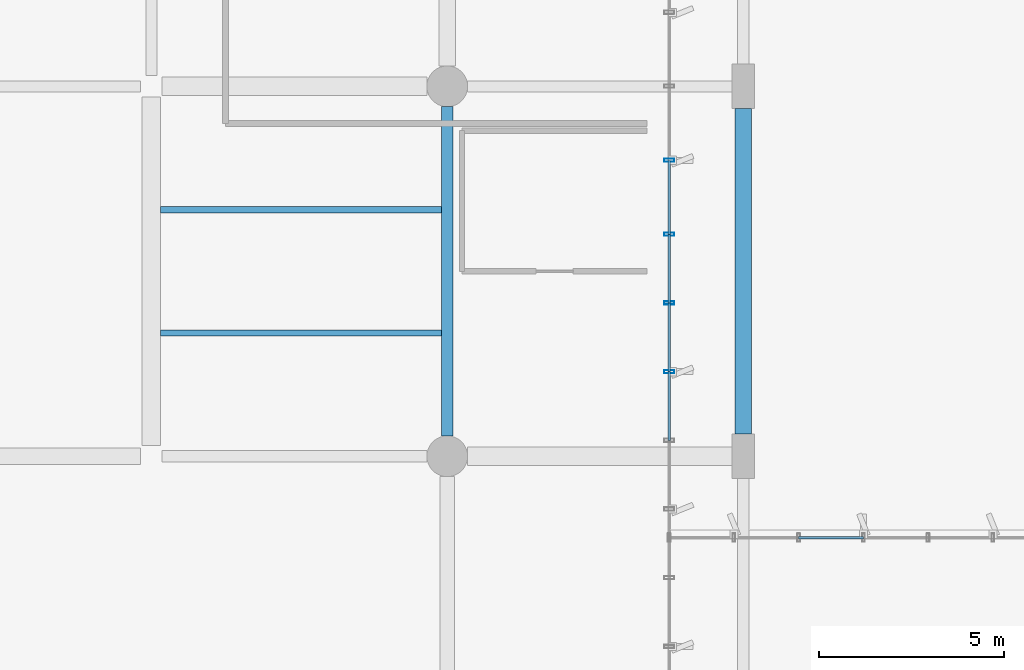
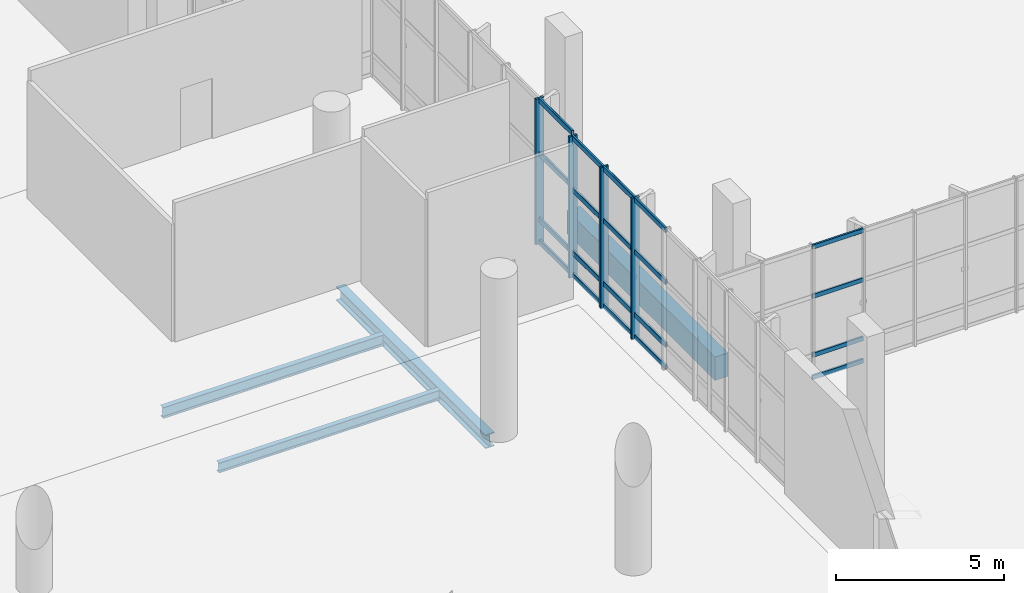
# One storey, part 93 of 163: 24 members, 4 beams, 3 elements without a shape of their own.
"""IFC4 building model written with IfcOpenShell, lengths in metres."""

from ifc_helpers import new_model, si_unit, direction, frame, origin, origin_2d, place, context, subcontext, project, spatial, rectangle, hollow_rectangle, i_section, extrude, material, layer, layer_set, material_profile, profile_set, type_object, element, aggregate, save


model = new_model("IFC4")

# Units and contexts
model_context = context("Model", 3, precision=1e-05, world=origin(), true_north=direction((0.0, 1.0)))
body_context = subcontext(model_context, "Body", "Model", "MODEL_VIEW")
ifc_project = project(units=[si_unit("LENGTHUNIT", "METRE"), si_unit("AREAUNIT", "SQUARE_METRE"), si_unit("VOLUMEUNIT", "CUBIC_METRE"), si_unit("PLANEANGLEUNIT", "RADIAN"), si_unit("MASSUNIT", "GRAM", prefix="KILO")], contexts=[model_context])

# Site, building, storey
site_placement = place(None, origin())
site = spatial("IfcSite", under=ifc_project, at=site_placement, CompositionType="ELEMENT")
building_placement = place(site_placement, origin())
building = spatial("IfcBuilding", under=site, at=building_placement, Name="Khorjan Park Terminus", CompositionType="ELEMENT")
storey_placement = place(building_placement, origin())
storey = spatial("IfcBuildingStorey", under=building, at=storey_placement, Name="L00", CompositionType="ELEMENT", Elevation=0.0)

# Beams
ifc_material_1 = material(Name="Steel S355", Category="steel")
ifc_material_profile_1 = material_profile(ifc_material_1, i_section(OverallWidth=0.3, OverallDepth=0.5, WebThickness=0.0145, FlangeThickness=0.028, FilletRadius=0.027, at=origin_2d()), Name="HEB 500")
ifc_profile_set_1 = profile_set([ifc_material_profile_1], Name="Steel S355")
beam_type_1 = type_object("IfcBeamType", Name="BM-HEB500", PredefinedType="BEAM", material=ifc_profile_set_1)
beam_1_placement = place(storey_placement, frame((128.0, 68.545, -0.6), z_axis=(0.0, 1.0, 0.0), x_axis=(-1.0, 0.0, 0.0)))
element("IfcBeam", 1, at=beam_1_placement, inside=storey, type_object=beam_type_1, Name="Primary floor girder SB-B50 (L00)", PredefinedType="BEAM", context=body_context, shape_type="SweptSolid", body=[
    extrude(i_section(OverallWidth=0.3, OverallDepth=0.5, WebThickness=0.0145, FlangeThickness=0.028, FilletRadius=0.027, at=origin_2d()), origin(), (0.0, 0.0, 1.0), 8.91),
])
ifc_material_2 = material(Name="Concrete C40/50", Category="concrete")
ifc_material_profile_2 = material_profile(ifc_material_2, rectangle(XDim=0.45, YDim=0.85, at=origin_2d()), Name="RC 450x850")
ifc_profile_set_2 = profile_set([ifc_material_profile_2], Name="Concrete C40/50")
beam_type_2 = type_object("IfcBeamType", Name="BM-RC450x850", PredefinedType="BEAM", material=ifc_profile_set_2)
beam_2_placement = place(storey_placement, frame((136.0, 68.595, -0.745), z_axis=(0.0, 1.0, 0.0), x_axis=(-1.0, 0.0, 0.0)))
element("IfcBeam", 2, at=beam_2_placement, inside=storey, type_object=beam_type_2, Name="Primary floor girder GB-85 (L00)", PredefinedType="BEAM", context=body_context, shape_type="SweptSolid", body=[
    extrude(rectangle(XDim=0.45, YDim=0.85, at=origin_2d()), origin(), (0.0, 0.0, 1.0), 8.81),
])
ifc_material_profile_3 = material_profile(ifc_material_1, i_section(OverallWidth=0.17, OverallDepth=0.36, WebThickness=0.008, FlangeThickness=0.0127, FilletRadius=0.018, at=origin_2d()), Name="IPE 360")
ifc_profile_set_3 = profile_set([ifc_material_profile_3], Name="Steel S355")
beam_type_3 = type_object("IfcBeamType", Name="JS-IPE360", PredefinedType="JOIST", material=ifc_profile_set_3)
beam_3_placement = place(storey_placement, frame((120.25, 71.3333, -0.53), z_axis=(1.0, 0.0, 0.0), x_axis=(0.0, 1.0, 0.0)))
element("IfcBeam", 3, at=beam_3_placement, inside=storey, type_object=beam_type_3, Name="Secondary composite floor joist SJ-36 (L00)", PredefinedType="JOIST", context=body_context, shape_type="SweptSolid", body=[
    extrude(i_section(OverallWidth=0.17, OverallDepth=0.36, WebThickness=0.008, FlangeThickness=0.0127, FilletRadius=0.018, at=origin_2d()), origin(), (0.0, 0.0, 1.0), 7.6),
])
ifc_material_profile_4 = material_profile(ifc_material_1, i_section(OverallWidth=0.18, OverallDepth=0.4, WebThickness=0.0086, FlangeThickness=0.0135, FilletRadius=0.021, at=origin_2d()), Name="IPE 400")
ifc_profile_set_4 = profile_set([ifc_material_profile_4], Name="Steel S355")
beam_type_4 = type_object("IfcBeamType", Name="JS-IPE400", PredefinedType="JOIST", material=ifc_profile_set_4)
beam_4_placement = place(storey_placement, frame((120.25, 74.6667, -0.55), z_axis=(1.0, 0.0, 0.0), x_axis=(0.0, 1.0, 0.0)))
element("IfcBeam", 4, at=beam_4_placement, inside=storey, type_object=beam_type_4, Name="Secondary composite floor joist SJ-40 (L00)", PredefinedType="JOIST", context=body_context, shape_type="SweptSolid", body=[
    extrude(i_section(OverallWidth=0.18, OverallDepth=0.4, WebThickness=0.0086, FlangeThickness=0.0135, FilletRadius=0.021, at=origin_2d()), origin(), (0.0, 0.0, 1.0), 7.6),
])

# Curtain wall, members
ifc_material_3 = material(Name="Anodized Bronze Aluminium", Category="aluminium")
ifc_layer_1 = layer(ifc_material_3, 0.22)
ifc_layer_set_1 = layer_set([ifc_layer_1], Name="Anodized Bronze Aluminium")
curtain_wall_type_1 = type_object("IfcCurtainWallType", Name="CW-CONC-A", PredefinedType="NOTDEFINED", material=ifc_layer_set_1)
curtain_wall_1_placement = place(storey_placement, origin())
curtain_wall_1 = element("IfcCurtainWall", 5, at=curtain_wall_1_placement, inside=storey, type_object=curtain_wall_type_1, Name="Unitized curtain wall CW-A (CW-V2-E-L00-03)", PredefinedType="NOTDEFINED")
ifc_material_profile_5 = material_profile(ifc_material_3, hollow_rectangle(XDim=0.09, YDim=0.28, WallThickness=0.006, InnerFilletRadius=0.006, OuterFilletRadius=0.012, at=origin_2d()), Name="ALM 90x280x6")
ifc_profile_set_5 = profile_set([ifc_material_profile_5], Name="Anodized Bronze Aluminium")
member_type_1 = type_object("IfcMemberType", Name="ML-ALM-280", PredefinedType="MULLION", material=ifc_profile_set_5)
member_1_placement = place(storey_placement, frame((134.0, 70.2857, -0.035), z_axis=(0.0, 0.0, 1.0), x_axis=(0.0, 1.0, 0.0)))
member_1 = element("IfcMember", 6, at=member_1_placement, type_object=member_type_1, Name="Curtain-wall mullion ML-28 (CW-V2-E-L00-03-5)", PredefinedType="MULLION", context=body_context, shape_type="SweptSolid", body=[
    extrude(hollow_rectangle(XDim=0.09, YDim=0.28, WallThickness=0.006, InnerFilletRadius=0.006, OuterFilletRadius=0.012, at=origin_2d()), origin(), (0.0, 0.0, 1.0), 5.135),
])
member_2_placement = place(storey_placement, frame((134.0, 72.1429, -0.035), z_axis=(0.0, 0.0, 1.0), x_axis=(0.0, 1.0, 0.0)))
member_2 = element("IfcMember", 7, at=member_2_placement, type_object=member_type_1, Name="Curtain-wall mullion ML-28 (CW-V2-E-L00-03-6)", PredefinedType="MULLION", context=body_context, shape_type="SweptSolid", body=[
    extrude(hollow_rectangle(XDim=0.09, YDim=0.28, WallThickness=0.006, InnerFilletRadius=0.006, OuterFilletRadius=0.012, at=origin_2d()), origin(), (0.0, 0.0, 1.0), 5.135),
])
member_3_placement = place(storey_placement, frame((134.0, 74.0, -0.035), z_axis=(0.0, 0.0, 1.0), x_axis=(0.0, 1.0, 0.0)))
member_3 = element("IfcMember", 8, at=member_3_placement, type_object=member_type_1, Name="Curtain-wall mullion ML-28 (CW-V2-E-L00-03-7)", PredefinedType="MULLION", context=body_context, shape_type="SweptSolid", body=[
    extrude(hollow_rectangle(XDim=0.09, YDim=0.28, WallThickness=0.006, InnerFilletRadius=0.006, OuterFilletRadius=0.012, at=origin_2d()), origin(), (0.0, 0.0, 1.0), 5.135),
])

# Curtain wall, member
curtain_wall_2_placement = place(storey_placement, origin())
curtain_wall_2 = element("IfcCurtainWall", 9, at=curtain_wall_2_placement, inside=storey, type_object=curtain_wall_type_1, Name="Unitized curtain wall CW-A (CW-V2-E-L00-04)", PredefinedType="NOTDEFINED")
member_4_placement = place(storey_placement, frame((134.0, 76.0, -0.035), z_axis=(0.0, 0.0, 1.0), x_axis=(0.0, 1.0, 0.0)))
member_4 = element("IfcMember", 10, at=member_4_placement, type_object=member_type_1, Name="Curtain-wall mullion ML-28 (CW-V2-E-L00-04-1)", PredefinedType="MULLION", context=body_context, shape_type="SweptSolid", body=[
    extrude(hollow_rectangle(XDim=0.09, YDim=0.28, WallThickness=0.006, InnerFilletRadius=0.006, OuterFilletRadius=0.012, at=origin_2d()), origin(), (0.0, 0.0, 1.0), 5.295),
])

# Curtain wall, members
ifc_layer_2 = layer(ifc_material_3, 0.22)
ifc_layer_set_2 = layer_set([ifc_layer_2], Name="Anodized Bronze Aluminium")
curtain_wall_type_2 = type_object("IfcCurtainWallType", Name="CW-OPS-B", PredefinedType="NOTDEFINED", material=ifc_layer_set_2)
curtain_wall_3_placement = place(storey_placement, origin())
curtain_wall_3 = element("IfcCurtainWall", 11, at=curtain_wall_3_placement, inside=storey, type_object=curtain_wall_type_2, Name="Unitized curtain wall CW-B (CW-V5L-N-L00-1)", PredefinedType="NOTDEFINED")
ifc_material_profile_6 = material_profile(ifc_material_3, hollow_rectangle(XDim=0.07, YDim=0.16, WallThickness=0.004, InnerFilletRadius=0.004, OuterFilletRadius=0.008, at=origin_2d()), Name="ALT 70x160x4")
ifc_profile_set_6 = profile_set([ifc_material_profile_6], Name="Anodized Bronze Aluminium")
member_type_2 = type_object("IfcMemberType", Name="TR-ALT-160", PredefinedType="USERDEFINED", material=ifc_profile_set_6)
member_5_placement = place(storey_placement, frame((139.25, 65.8, 0.04), z_axis=(-1.0, 0.0, 0.0), x_axis=(0.0, -1.0, 0.0)))
member_5 = element("IfcMember", 12, at=member_5_placement, type_object=member_type_2, Name="Curtain-wall transom TR-16 (CW-V5L-N-L00-1-5-1)", ObjectType="TRANSOM", PredefinedType="USERDEFINED", context=body_context, shape_type="SweptSolid", body=[
    extrude(hollow_rectangle(XDim=0.07, YDim=0.16, WallThickness=0.004, InnerFilletRadius=0.004, OuterFilletRadius=0.008, at=origin_2d()), origin(), (0.0, 0.0, 1.0), 1.75),
])
member_6_placement = place(storey_placement, frame((139.25, 65.8, 0.85), z_axis=(-1.0, 0.0, 0.0), x_axis=(0.0, -1.0, 0.0)))
member_6 = element("IfcMember", 13, at=member_6_placement, type_object=member_type_2, Name="Curtain-wall transom TR-16 (CW-V5L-N-L00-1-5-2)", ObjectType="TRANSOM", PredefinedType="USERDEFINED", context=body_context, shape_type="SweptSolid", body=[
    extrude(hollow_rectangle(XDim=0.07, YDim=0.16, WallThickness=0.004, InnerFilletRadius=0.004, OuterFilletRadius=0.008, at=origin_2d()), origin(), (0.0, 0.0, 1.0), 1.75),
])
member_7_placement = place(storey_placement, frame((139.25, 65.8, 2.9915), z_axis=(-1.0, 0.0, 0.0), x_axis=(0.0, -1.0, 0.0)))
member_7 = element("IfcMember", 14, at=member_7_placement, type_object=member_type_2, Name="Curtain-wall transom TR-16 (CW-V5L-N-L00-1-5-3)", ObjectType="TRANSOM", PredefinedType="USERDEFINED", context=body_context, shape_type="SweptSolid", body=[
    extrude(hollow_rectangle(XDim=0.07, YDim=0.16, WallThickness=0.004, InnerFilletRadius=0.004, OuterFilletRadius=0.008, at=origin_2d()), origin(), (0.0, 0.0, 1.0), 1.75),
])
member_8_placement = place(storey_placement, frame((139.25, 65.8, 4.785), z_axis=(-1.0, 0.0, 0.0), x_axis=(0.0, -1.0, 0.0)))
member_8 = element("IfcMember", 15, at=member_8_placement, type_object=member_type_2, Name="Curtain-wall transom TR-16 (CW-V5L-N-L00-1-5-4)", ObjectType="TRANSOM", PredefinedType="USERDEFINED", context=body_context, shape_type="SweptSolid", body=[
    extrude(hollow_rectangle(XDim=0.07, YDim=0.16, WallThickness=0.004, InnerFilletRadius=0.004, OuterFilletRadius=0.008, at=origin_2d()), origin(), (0.0, 0.0, 1.0), 1.75),
])
aggregate(curtain_wall_3, [member_5, member_6, member_7, member_8])

# Member
ifc_material_profile_7 = material_profile(ifc_material_3, hollow_rectangle(XDim=0.075, YDim=0.185, WallThickness=0.005, InnerFilletRadius=0.005, OuterFilletRadius=0.01, at=origin_2d()), Name="ALT 75x185x5")
ifc_profile_set_7 = profile_set([ifc_material_profile_7], Name="Anodized Bronze Aluminium")
member_type_3 = type_object("IfcMemberType", Name="TR-ALT-185", PredefinedType="USERDEFINED", material=ifc_profile_set_7)
member_9_placement = place(storey_placement, frame((134.0, 68.4286, 0.04), z_axis=(0.0, 1.0, 0.0), x_axis=(-1.0, 0.0, 0.0)))
member_9 = element("IfcMember", 16, at=member_9_placement, type_object=member_type_3, Name="Curtain-wall transom TR-18 (CW-V2-E-L00-03-4-1)", ObjectType="TRANSOM", PredefinedType="USERDEFINED", context=body_context, shape_type="SweptSolid", body=[
    extrude(hollow_rectangle(XDim=0.075, YDim=0.185, WallThickness=0.005, InnerFilletRadius=0.005, OuterFilletRadius=0.01, at=origin_2d()), origin(), (0.0, 0.0, 1.0), 1.8571),
])

member_10_placement = place(storey_placement, frame((134.0, 68.4286, 0.85), z_axis=(0.0, 1.0, 0.0), x_axis=(-1.0, 0.0, 0.0)))
member_10 = element("IfcMember", 17, at=member_10_placement, type_object=member_type_3, Name="Curtain-wall transom TR-18 (CW-V2-E-L00-03-4-2)", ObjectType="TRANSOM", PredefinedType="USERDEFINED", context=body_context, shape_type="SweptSolid", body=[
    extrude(hollow_rectangle(XDim=0.075, YDim=0.185, WallThickness=0.005, InnerFilletRadius=0.005, OuterFilletRadius=0.01, at=origin_2d()), origin(), (0.0, 0.0, 1.0), 1.8571),
])

member_11_placement = place(storey_placement, frame((134.0, 68.4286, 3.1403), z_axis=(0.0, 1.0, 0.0), x_axis=(-1.0, 0.0, 0.0)))
member_11 = element("IfcMember", 18, at=member_11_placement, type_object=member_type_3, Name="Curtain-wall transom TR-18 (CW-V2-E-L00-03-4-3)", ObjectType="TRANSOM", PredefinedType="USERDEFINED", context=body_context, shape_type="SweptSolid", body=[
    extrude(hollow_rectangle(XDim=0.075, YDim=0.185, WallThickness=0.005, InnerFilletRadius=0.005, OuterFilletRadius=0.01, at=origin_2d()), origin(), (0.0, 0.0, 1.0), 1.8571),
])

member_12_placement = place(storey_placement, frame((134.0, 68.4286, 5.025), z_axis=(0.0, 1.0, 0.0), x_axis=(-1.0, 0.0, 0.0)))
member_12 = element("IfcMember", 19, at=member_12_placement, type_object=member_type_3, Name="Curtain-wall transom TR-18 (CW-V2-E-L00-03-4-4)", ObjectType="TRANSOM", PredefinedType="USERDEFINED", context=body_context, shape_type="SweptSolid", body=[
    extrude(hollow_rectangle(XDim=0.075, YDim=0.185, WallThickness=0.005, InnerFilletRadius=0.005, OuterFilletRadius=0.01, at=origin_2d()), origin(), (0.0, 0.0, 1.0), 1.8571),
])

member_13_placement = place(storey_placement, frame((134.0, 70.2857, 0.04), z_axis=(0.0, 1.0, 0.0), x_axis=(-1.0, 0.0, 0.0)))
member_13 = element("IfcMember", 20, at=member_13_placement, type_object=member_type_3, Name="Curtain-wall transom TR-18 (CW-V2-E-L00-03-5-1)", ObjectType="TRANSOM", PredefinedType="USERDEFINED", context=body_context, shape_type="SweptSolid", body=[
    extrude(hollow_rectangle(XDim=0.075, YDim=0.185, WallThickness=0.005, InnerFilletRadius=0.005, OuterFilletRadius=0.01, at=origin_2d()), origin(), (0.0, 0.0, 1.0), 1.8572),
])

member_14_placement = place(storey_placement, frame((134.0, 70.2857, 0.85), z_axis=(0.0, 1.0, 0.0), x_axis=(-1.0, 0.0, 0.0)))
member_14 = element("IfcMember", 21, at=member_14_placement, type_object=member_type_3, Name="Curtain-wall transom TR-18 (CW-V2-E-L00-03-5-2)", ObjectType="TRANSOM", PredefinedType="USERDEFINED", context=body_context, shape_type="SweptSolid", body=[
    extrude(hollow_rectangle(XDim=0.075, YDim=0.185, WallThickness=0.005, InnerFilletRadius=0.005, OuterFilletRadius=0.01, at=origin_2d()), origin(), (0.0, 0.0, 1.0), 1.8572),
])

member_15_placement = place(storey_placement, frame((134.0, 70.2857, 3.1403), z_axis=(0.0, 1.0, 0.0), x_axis=(-1.0, 0.0, 0.0)))
member_15 = element("IfcMember", 22, at=member_15_placement, type_object=member_type_3, Name="Curtain-wall transom TR-18 (CW-V2-E-L00-03-5-3)", ObjectType="TRANSOM", PredefinedType="USERDEFINED", context=body_context, shape_type="SweptSolid", body=[
    extrude(hollow_rectangle(XDim=0.075, YDim=0.185, WallThickness=0.005, InnerFilletRadius=0.005, OuterFilletRadius=0.01, at=origin_2d()), origin(), (0.0, 0.0, 1.0), 1.8572),
])

member_16_placement = place(storey_placement, frame((134.0, 70.2857, 5.025), z_axis=(0.0, 1.0, 0.0), x_axis=(-1.0, 0.0, 0.0)))
member_16 = element("IfcMember", 23, at=member_16_placement, type_object=member_type_3, Name="Curtain-wall transom TR-18 (CW-V2-E-L00-03-5-4)", ObjectType="TRANSOM", PredefinedType="USERDEFINED", context=body_context, shape_type="SweptSolid", body=[
    extrude(hollow_rectangle(XDim=0.075, YDim=0.185, WallThickness=0.005, InnerFilletRadius=0.005, OuterFilletRadius=0.01, at=origin_2d()), origin(), (0.0, 0.0, 1.0), 1.8572),
])

member_17_placement = place(storey_placement, frame((134.0, 72.1429, 0.04), z_axis=(0.0, 1.0, 0.0), x_axis=(-1.0, 0.0, 0.0)))
member_17 = element("IfcMember", 24, at=member_17_placement, type_object=member_type_3, Name="Curtain-wall transom TR-18 (CW-V2-E-L00-03-6-1)", ObjectType="TRANSOM", PredefinedType="USERDEFINED", context=body_context, shape_type="SweptSolid", body=[
    extrude(hollow_rectangle(XDim=0.075, YDim=0.185, WallThickness=0.005, InnerFilletRadius=0.005, OuterFilletRadius=0.01, at=origin_2d()), origin(), (0.0, 0.0, 1.0), 1.8571),
])

member_18_placement = place(storey_placement, frame((134.0, 72.1429, 0.85), z_axis=(0.0, 1.0, 0.0), x_axis=(-1.0, 0.0, 0.0)))
member_18 = element("IfcMember", 25, at=member_18_placement, type_object=member_type_3, Name="Curtain-wall transom TR-18 (CW-V2-E-L00-03-6-2)", ObjectType="TRANSOM", PredefinedType="USERDEFINED", context=body_context, shape_type="SweptSolid", body=[
    extrude(hollow_rectangle(XDim=0.075, YDim=0.185, WallThickness=0.005, InnerFilletRadius=0.005, OuterFilletRadius=0.01, at=origin_2d()), origin(), (0.0, 0.0, 1.0), 1.8571),
])

member_19_placement = place(storey_placement, frame((134.0, 72.1429, 3.1403), z_axis=(0.0, 1.0, 0.0), x_axis=(-1.0, 0.0, 0.0)))
member_19 = element("IfcMember", 26, at=member_19_placement, type_object=member_type_3, Name="Curtain-wall transom TR-18 (CW-V2-E-L00-03-6-3)", ObjectType="TRANSOM", PredefinedType="USERDEFINED", context=body_context, shape_type="SweptSolid", body=[
    extrude(hollow_rectangle(XDim=0.075, YDim=0.185, WallThickness=0.005, InnerFilletRadius=0.005, OuterFilletRadius=0.01, at=origin_2d()), origin(), (0.0, 0.0, 1.0), 1.8571),
])

member_20_placement = place(storey_placement, frame((134.0, 72.1429, 5.025), z_axis=(0.0, 1.0, 0.0), x_axis=(-1.0, 0.0, 0.0)))
member_20 = element("IfcMember", 27, at=member_20_placement, type_object=member_type_3, Name="Curtain-wall transom TR-18 (CW-V2-E-L00-03-6-4)", ObjectType="TRANSOM", PredefinedType="USERDEFINED", context=body_context, shape_type="SweptSolid", body=[
    extrude(hollow_rectangle(XDim=0.075, YDim=0.185, WallThickness=0.005, InnerFilletRadius=0.005, OuterFilletRadius=0.01, at=origin_2d()), origin(), (0.0, 0.0, 1.0), 1.8571),
])

aggregate(curtain_wall_1, [member_1, member_2, member_3, member_9, member_10, member_11, member_12, member_13, member_14, member_15, member_16, member_17, member_18, member_19, member_20])

member_21_placement = place(storey_placement, frame((134.0, 74.0, 0.04), z_axis=(0.0, 1.0, 0.0), x_axis=(-1.0, 0.0, 0.0)))
member_21 = element("IfcMember", 28, at=member_21_placement, type_object=member_type_3, Name="Curtain-wall transom TR-18 (CW-V2-E-L00-04-0-1)", ObjectType="TRANSOM", PredefinedType="USERDEFINED", context=body_context, shape_type="SweptSolid", body=[
    extrude(hollow_rectangle(XDim=0.075, YDim=0.185, WallThickness=0.005, InnerFilletRadius=0.005, OuterFilletRadius=0.01, at=origin_2d()), origin(), (0.0, 0.0, 1.0), 2.0),
])

member_22_placement = place(storey_placement, frame((134.0, 74.0, 0.85), z_axis=(0.0, 1.0, 0.0), x_axis=(-1.0, 0.0, 0.0)))
member_22 = element("IfcMember", 29, at=member_22_placement, type_object=member_type_3, Name="Curtain-wall transom TR-18 (CW-V2-E-L00-04-0-2)", ObjectType="TRANSOM", PredefinedType="USERDEFINED", context=body_context, shape_type="SweptSolid", body=[
    extrude(hollow_rectangle(XDim=0.075, YDim=0.185, WallThickness=0.005, InnerFilletRadius=0.005, OuterFilletRadius=0.01, at=origin_2d()), origin(), (0.0, 0.0, 1.0), 2.0),
])

member_23_placement = place(storey_placement, frame((134.0, 74.0, 3.2395), z_axis=(0.0, 1.0, 0.0), x_axis=(-1.0, 0.0, 0.0)))
member_23 = element("IfcMember", 30, at=member_23_placement, type_object=member_type_3, Name="Curtain-wall transom TR-18 (CW-V2-E-L00-04-0-3)", ObjectType="TRANSOM", PredefinedType="USERDEFINED", context=body_context, shape_type="SweptSolid", body=[
    extrude(hollow_rectangle(XDim=0.075, YDim=0.185, WallThickness=0.005, InnerFilletRadius=0.005, OuterFilletRadius=0.01, at=origin_2d()), origin(), (0.0, 0.0, 1.0), 2.0),
])

member_24_placement = place(storey_placement, frame((134.0, 74.0, 5.185), z_axis=(0.0, 1.0, 0.0), x_axis=(-1.0, 0.0, 0.0)))
member_24 = element("IfcMember", 31, at=member_24_placement, type_object=member_type_3, Name="Curtain-wall transom TR-18 (CW-V2-E-L00-04-0-4)", ObjectType="TRANSOM", PredefinedType="USERDEFINED", context=body_context, shape_type="SweptSolid", body=[
    extrude(hollow_rectangle(XDim=0.075, YDim=0.185, WallThickness=0.005, InnerFilletRadius=0.005, OuterFilletRadius=0.01, at=origin_2d()), origin(), (0.0, 0.0, 1.0), 2.0),
])

aggregate(curtain_wall_2, [member_4, member_21, member_22, member_23, member_24])

save(model, "model.ifc")
